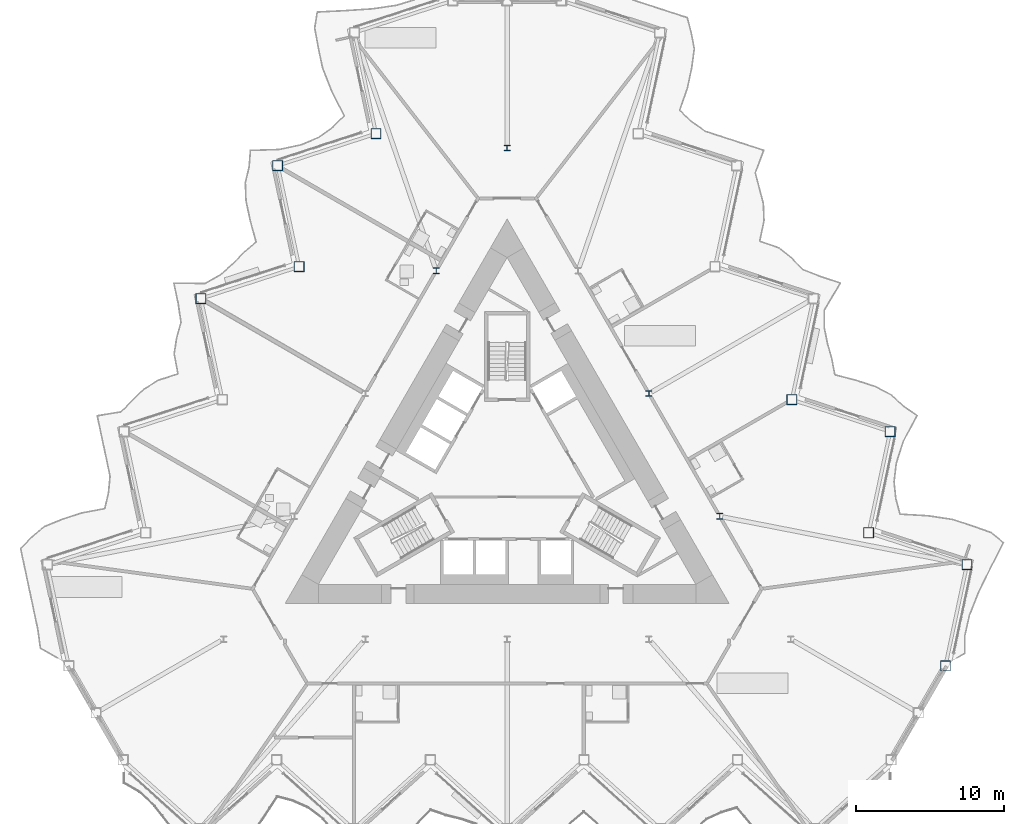
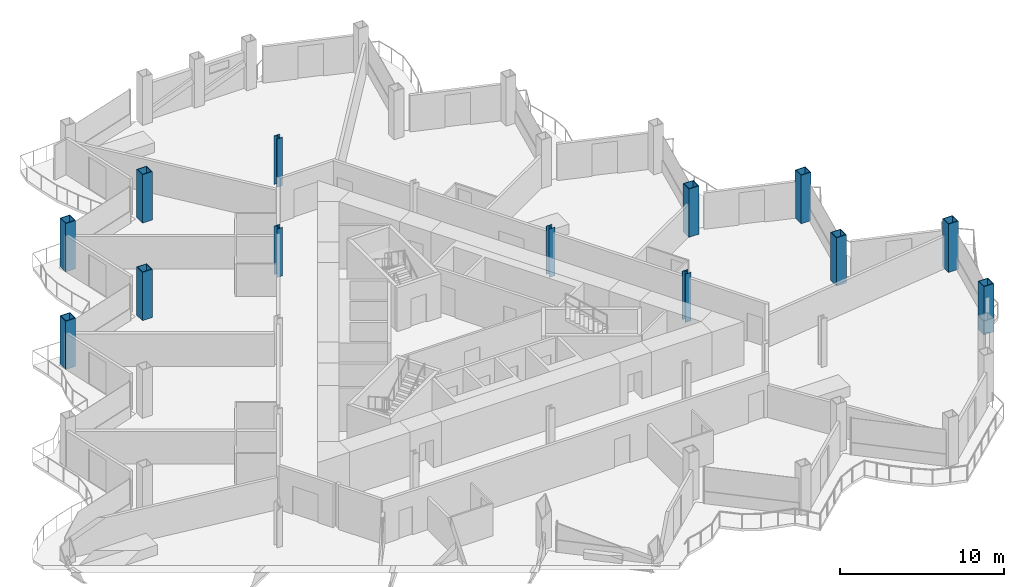
# One storey, part 2 of 23: 13 columns.
"""IFC4 building model written with IfcOpenShell, lengths in metres."""

from ifc_helpers import new_model, si_unit, direction, frame, origin, origin_2d, place, context, subcontext, project, spatial, hollow_rectangle, i_section, extrude, material, material_profile, profile_set, type_object, element, save


model = new_model("IFC4")

# Units and contexts
model_context = context("Model", 3, precision=1e-05, world=origin(), true_north=direction((0.0, 1.0)))
body_context = subcontext(model_context, "Body", "Model", "MODEL_VIEW")
ifc_project = project(units=[si_unit("LENGTHUNIT", "METRE"), si_unit("AREAUNIT", "SQUARE_METRE"), si_unit("VOLUMEUNIT", "CUBIC_METRE"), si_unit("PLANEANGLEUNIT", "RADIAN"), si_unit("MASSUNIT", "GRAM", prefix="KILO")], contexts=[model_context])

# Site, building, storey
site_placement = place(None, origin())
site = spatial("IfcSite", under=ifc_project, at=site_placement, CompositionType="ELEMENT")
building_placement = place(site_placement, origin())
building = spatial("IfcBuilding", under=site, at=building_placement, Name="Cormorant Prow Tower", CompositionType="ELEMENT")
storey_placement = place(building_placement, frame((0.0, 0.0, 241.800048828125)))
storey = spatial("IfcBuildingStorey", under=building, at=storey_placement, Name="L53", CompositionType="ELEMENT", Elevation=241.800048828125)

# Columns
ifc_material_1 = material(Name="Structural steel ASTM A572 Gr 50", Category="steel")
ifc_material_profile_1 = material_profile(ifc_material_1, hollow_rectangle(XDim=0.699951171875, YDim=0.699951171875, WallThickness=0.044921875, at=origin_2d()), Name="Box 700x700x45")
ifc_profile_set_1 = profile_set([ifc_material_profile_1], Name="Structural steel ASTM A572 Gr 50")
column_type_1 = type_object("IfcColumnType", Name="Perimeter box column 700x700x45", PredefinedType="COLUMN", material=ifc_profile_set_1)
for number, where, z_axis, x_axis, name in (
    (1, (29.611572265625, -12.858154296875, 0.0), (0.0, 0.0, 1.0), (1.0, 0.0, 0.0), "Perimeter column C5 at ENE00 L53"),
    (2, (31.063232421875, -6.029052734375, 0.0), (0.0, 0.0, 1.0), (1.0, 0.0, 0.0), "Perimeter column C5 at ENE01 L53"),
    (3, (24.42333984375, -3.871826171875, 0.0), (0.0, 0.0, 1.0), (1.0, 0.0, 0.0), "Perimeter column C5 at ENE02 L53"),
    (4, (25.875, 2.957275390625, 0.0), (0.0, 0.0, 1.0), (1.0, 0.0, 0.0), "Perimeter column C5 at ENE03 L53"),
    (5, (19.235107421875, 5.114501953125, 0.0), (0.0, 0.0, 1.0), (1.0, 0.0, 0.0), "Perimeter column C5 at ENE04 L53"),
    (6, (-8.858642578125, 23.087158203125, 0.0), (0.0, 0.0, 1.0), (1.0, 0.0, 0.0), "Perimeter column C5 at WNW02 L53"),
    (7, (-15.49853515625, 20.9296875, 0.0), (0.0, 0.0, 1.0), (1.0, 0.0, 0.0), "Perimeter column C5 at WNW03 L53"),
    (8, (-14.046875, 14.100830078125, 0.0), (0.0, 0.0, 1.0), (1.0, 0.0, 0.0), "Perimeter column C5 at WNW04 L53"),
    (9, (-20.686767578125, 11.943359375, 0.0), (0.0, 0.0, 1.0), (1.0, 0.0, 0.0), "Perimeter column C5 at WNW05 L53"),
):
    element("IfcColumn", number, at=place(storey_placement, frame(where, z_axis=z_axis, x_axis=x_axis)), inside=storey, type_object=column_type_1, Name=name, PredefinedType="COLUMN", context=body_context, shape_type="SweptSolid", body=[
        extrude(hollow_rectangle(XDim=0.699951171875, YDim=0.699951171875, WallThickness=0.044921875, at=origin_2d()), origin(), (0.0, 0.0, 1.0), 3.599853515625),
    ])
ifc_material_2 = material(Name="Structural steel ASTM A992 Gr 50", Category="steel")
ifc_material_profile_2 = material_profile(ifc_material_2, i_section(OverallWidth=0.39892578125, OverallDepth=0.393310546875, WebThickness=0.022705078125, FlangeThickness=0.03662109375, at=origin_2d()), Name="W14x193")
ifc_profile_set_2 = profile_set([ifc_material_profile_2], Name="Structural steel ASTM A992 Gr 50")
column_type_2 = type_object("IfcColumnType", Name="Ring column W14x193", PredefinedType="COLUMN", material=ifc_profile_set_2)
for number, where, z_axis, x_axis, name in (
    (10, (0.0, 22.12060546875, 0.0), (0.0, 0.0, 1.0), (1.0, 0.0, 0.0), "Ring column 1 L53"),
    (11, (-4.789306640625, 13.8251953125, 0.0), (0.0, 0.0, 1.0), (1.0, 0.0, 0.0), "Ring column 2 L53"),
    (12, (14.36767578125, -2.76513671875, 0.0), (0.0, 0.0, 1.0), (1.0, 0.0, 0.0), "Ring column 10 L53"),
    (13, (9.578369140625, 5.530029296875, 0.0), (0.0, 0.0, 1.0), (1.0, 0.0, 0.0), "Ring column 11 L53"),
):
    element("IfcColumn", number, at=place(storey_placement, frame(where, z_axis=z_axis, x_axis=x_axis)), inside=storey, type_object=column_type_2, Name=name, PredefinedType="COLUMN", context=body_context, shape_type="SweptSolid", body=[
        extrude(i_section(OverallWidth=0.39892578125, OverallDepth=0.393310546875, WebThickness=0.022705078125, FlangeThickness=0.03662109375, at=origin_2d()), origin(), (0.0, 0.0, 1.0), 3.599853515625),
    ])

save(model, "model.ifc")
